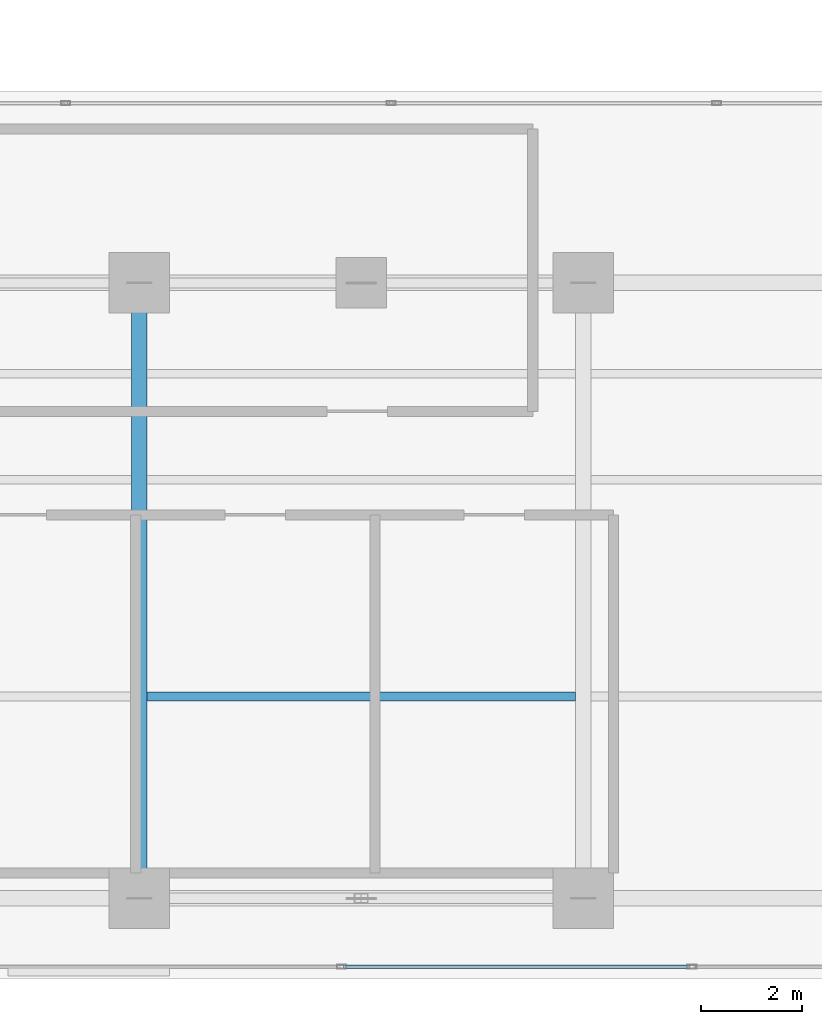
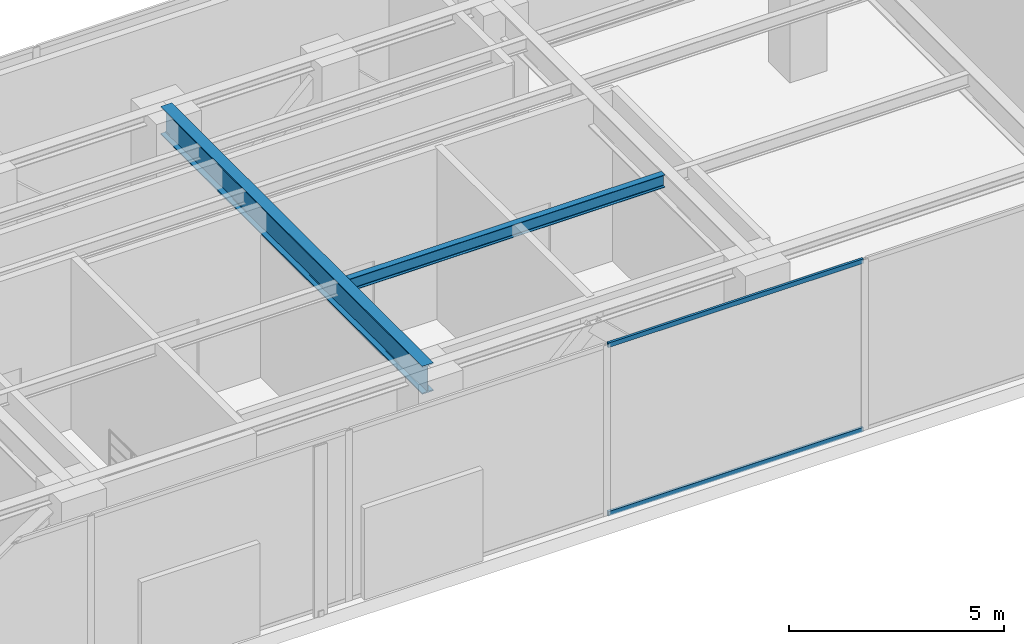
# One storey, part 16 of 36: 2 beams, 2 members, 1 element without a shape of its own.
"""IFC4 building model written with IfcOpenShell, lengths in metres."""

from ifc_helpers import new_model, si_unit, direction, frame, origin, origin_with_axes, origin_2d, place, context, subcontext, project, spatial, hollow_rectangle, i_section, extrude, source, transform, mapped, material, layer, layer_set, material_profile, profile_set, type_object, element, aggregate, save


model = new_model("IFC4")

# Units and contexts
model_context = context("Model", 3, precision=1e-05, world=origin(), true_north=direction((0.0, 1.0)))
body_context = subcontext(model_context, "Body", "Model", "MODEL_VIEW")
ifc_project = project(units=[si_unit("LENGTHUNIT", "METRE"), si_unit("AREAUNIT", "SQUARE_METRE"), si_unit("VOLUMEUNIT", "CUBIC_METRE"), si_unit("PLANEANGLEUNIT", "RADIAN"), si_unit("MASSUNIT", "GRAM", prefix="KILO")], contexts=[model_context])

# Site, building, storey
site_placement = place(None, origin())
site = spatial("IfcSite", under=ifc_project, at=site_placement, CompositionType="ELEMENT")
building_placement = place(site_placement, origin())
building = spatial("IfcBuilding", under=site, at=building_placement, Name="Kolvaren Waterfront Exchange", CompositionType="ELEMENT")
storey_placement = place(building_placement, frame((0.0, 0.0, 199.39990234375)))
storey = spatial("IfcBuildingStorey", under=building, at=storey_placement, Name="L51", CompositionType="ELEMENT", Elevation=199.39990234375)

# Beams
ifc_material_1 = material(Name="Steel S355", Category="steel")
ifc_material_profile_1 = material_profile(ifc_material_1, i_section(OverallWidth=0.300048828125, OverallDepth=0.800048828125, WebThickness=0.017578125, FlangeThickness=0.032958984375, FilletRadius=0.030029296875, at=origin_2d()), Name="HEB800")
ifc_profile_set_1 = profile_set([ifc_material_profile_1], Name="Steel S355")
beam_type_1 = type_object("IfcBeamType", Name="STR-BM-HEB800", PredefinedType="BEAM", material=ifc_profile_set_1)
beam_1_placement = place(storey_placement, frame((36.800048828125, 5.199951171875, 4.460205078125), z_axis=(0.0, 1.0, 0.0), x_axis=(-1.0, 0.0, 0.0)))
element("IfcBeam", 1, at=beam_1_placement, inside=storey, type_object=beam_type_1, Name="L51 east-arm transverse girder X36", PredefinedType="BEAM", context=body_context, shape_type="SweptSolid", body=[
    extrude(i_section(OverallWidth=0.300048828125, OverallDepth=0.800048828125, WebThickness=0.017578125, FlangeThickness=0.032958984375, FilletRadius=0.030029296875, at=origin_2d()), origin(), (0.0, 0.0, 1.0), 12.199951171875),
])
ifc_material_profile_2 = material_profile(ifc_material_1, i_section(OverallWidth=0.169921875, OverallDepth=0.360107421875, WebThickness=0.008056640625, FlangeThickness=0.0126953125, FilletRadius=0.01806640625, at=origin_2d()), Name="IPE360")
ifc_profile_set_2 = profile_set([ifc_material_profile_2], Name="Steel S355")
beam_type_2 = type_object("IfcBeamType", Name="STR-BM-IPE360", PredefinedType="JOIST", material=ifc_profile_set_2)
beam_2_placement = place(storey_placement, frame((36.951904296875, 9.199951171875, 4.68017578125), z_axis=(1.0, 0.0, 0.0), x_axis=(0.0, 1.0, 0.0)))
element("IfcBeam", 2, at=beam_2_placement, inside=storey, type_object=beam_type_2, Name="L51 east-arm composite joist 3B", PredefinedType="JOIST", context=body_context, shape_type="SweptSolid", body=[
    extrude(i_section(OverallWidth=0.169921875, OverallDepth=0.360107421875, WebThickness=0.008056640625, FlangeThickness=0.0126953125, FilletRadius=0.01806640625, at=origin_2d()), origin(), (0.0, 0.0, 1.0), 8.49609375),
])

# Curtain wall, members
ifc_material_2 = material(Name="Anodised dark bronze spandrel aluminium", Category="aluminium")
ifc_layer = layer(ifc_material_2, 0.219970703125, Name="Anodised dark bronze spandrel aluminium")
ifc_layer_set = layer_set([ifc_layer], Name="Anodised dark bronze spandrel aluminium")
curtain_wall_type = type_object("IfcCurtainWallType", Name="ARC-CW-SYS6", PredefinedType="USERDEFINED", material=ifc_layer_set)
curtain_wall_placement = place(storey_placement, origin())
curtain_wall = element("IfcCurtainWall", 3, at=curtain_wall_placement, inside=storey, type_object=curtain_wall_type, Name="L51 stick curtain wall CW6 (CW-L51-S)", ObjectType="STICK CURTAIN WALL", PredefinedType="USERDEFINED")
ifc_material_3 = material(Name="Anodised bronze aluminium 6063-T6", Category="aluminium")
ifc_material_profile_3 = material_profile(ifc_material_3, hollow_rectangle(XDim=0.06494140625, YDim=0.1298828125, WallThickness=0.00390625, at=origin_2d()), Name="ALU-TRN-130x65x4")
ifc_profile_set_3 = profile_set([ifc_material_profile_3], Name="Anodised bronze aluminium 6063-T6")
member_type = type_object("IfcMemberType", Name="ARC-CWT-130", PredefinedType="USERDEFINED", material=ifc_profile_set_3)
shared_shape = source(origin_with_axes(), body_context, "Body", "SweptSolid", [
    extrude(hollow_rectangle(XDim=0.06494140625, YDim=0.1298828125, WallThickness=0.00390625, at=origin_2d()), origin(), (0.0, 0.0, 1.0), 6.867919921875),
])
member_1_placement = place(storey_placement, frame((40.851806640625, 3.840087890625, 0.03271484375), z_axis=(1.0, 0.0, 0.0), x_axis=(0.0, 1.0, 0.0)))
member_1 = element("IfcMember", 4, at=member_1_placement, type_object=member_type, Name="CW6 transom 6.1", ObjectType="TRANSOM", PredefinedType="USERDEFINED", context=body_context, shape_type="MappedRepresentation", body=[
    mapped(shared_shape, transform((0.0, 0.0, 0.0), x_axis=(1.0, 0.0, 0.0), y_axis=(0.0, 1.0, 0.0), z_axis=(0.0, 0.0, 1.0), scale=1.0)),
])
member_2_placement = place(storey_placement, frame((40.851806640625, 3.840087890625, 4.82763671875), z_axis=(1.0, 0.0, 0.0), x_axis=(0.0, 1.0, 0.0)))
member_2 = element("IfcMember", 5, at=member_2_placement, type_object=member_type, Name="CW6 transom 6.2", ObjectType="TRANSOM", PredefinedType="USERDEFINED", context=body_context, shape_type="MappedRepresentation", body=[
    mapped(shared_shape, transform((0.0, 0.0, 0.0), x_axis=(1.0, 0.0, 0.0), y_axis=(0.0, 1.0, 0.0), z_axis=(0.0, 0.0, 1.0), scale=1.0)),
])
aggregate(curtain_wall, [member_1, member_2])

save(model, "model.ifc")
